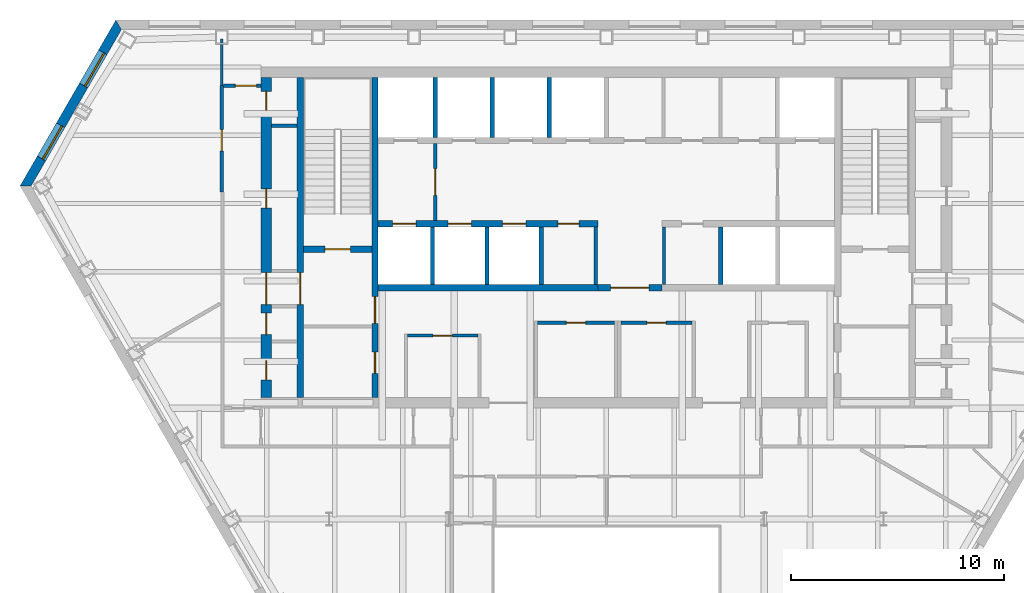
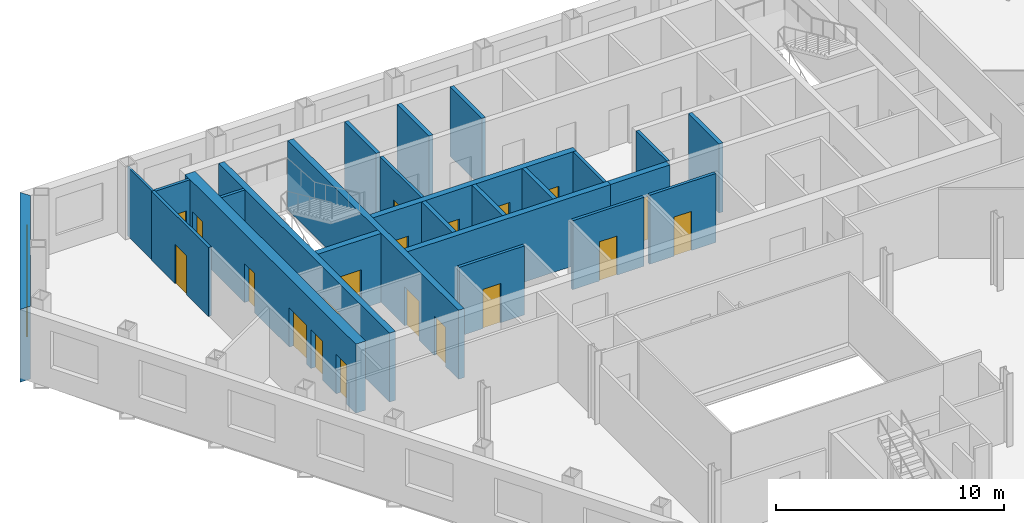
# One storey, part 6 of 11: 25 walls, 20 doors, 2 windows, 22 openings.
"""IFC4 building model written with IfcOpenShell, lengths in metres."""

from ifc_helpers import new_model, si_unit, direction, frame, frame_2d, origin, place, context, subcontext, project, spatial, polyline, rectangle, outline, extrude, material, layer, layer_set, type_object, element, fill, save


model = new_model("IFC4")

# Units and contexts
model_context = context("Model", 3, precision=1e-05, world=origin(), true_north=direction((0.0, 1.0)))
body_context = subcontext(model_context, "Body", "Model", "MODEL_VIEW")
ifc_project = project(units=[si_unit("LENGTHUNIT", "METRE"), si_unit("AREAUNIT", "SQUARE_METRE"), si_unit("VOLUMEUNIT", "CUBIC_METRE"), si_unit("PLANEANGLEUNIT", "RADIAN"), si_unit("MASSUNIT", "GRAM", prefix="KILO")], contexts=[model_context])

# Site, building, storey
site_placement = place(None, origin())
site = spatial("IfcSite", under=ifc_project, at=site_placement, CompositionType="ELEMENT")
building_placement = place(site_placement, origin())
building = spatial("IfcBuilding", under=site, at=building_placement, Name="Njiva Tower", CompositionType="ELEMENT")
storey_placement = place(building_placement, frame((0.0, 0.0, 139.8)))
storey = spatial("IfcBuildingStorey", under=building, at=storey_placement, Name="L29", CompositionType="ELEMENT", Elevation=139.8)

# Walls
ifc_material_1 = material(Name="Blockwork", Category="masonry")
ifc_layer_1 = layer(ifc_material_1, 0.15)
ifc_layer_set_1 = layer_set([ifc_layer_1], Name="Blockwork")
wall_type_1 = type_object("IfcWallType", Name="WT1 Compartment partition 150", PredefinedType="PARTITIONING", material=ifc_layer_set_1)
for number, where, z_axis, x_axis, name in (
    (1, (-0.5, 7.8, 0.0), (0.0, 0.0, 1.0), (0.0, 1.0, 0.0), "Partition CS4"),
    (2, (2.7, 7.8, 0.0), (0.0, 0.0, 1.0), (0.0, 1.0, 0.0), "Partition CS5"),
):
    element("IfcWall", number, at=place(storey_placement, frame(where, z_axis=z_axis, x_axis=x_axis)), inside=storey, type_object=wall_type_1, Name=name, PredefinedType="PARTITIONING", context=body_context, shape_type="SweptSolid", body=[
        extrude(rectangle(XDim=2.7, YDim=0.15, at=frame_2d((1.35, 0.0))), origin(), (0.0, 0.0, 1.0), 3.7),
    ])

# Wall, opening, door
wall_1_placement = place(storey_placement, frame((-9.325, 5.4, 0.0), z_axis=(0.0, 0.0, 1.0), x_axis=(1.0, 0.0, 0.0)))
wall_1 = element("IfcWall", 3, at=wall_1_placement, inside=storey, type_object=wall_type_1, Name="Security office wall north", PredefinedType="PARTITIONING", context=body_context, shape_type="SweptSolid", body=[
    extrude(rectangle(XDim=3.3, YDim=0.15, at=frame_2d((1.65, 0.0))), origin(), (0.0, 0.0, 1.0), 3.7),
])
opening_1_placement = place(wall_1_placement, frame((1.2, 0.0, 0.0)))
opening_1 = element("IfcOpeningElement", 4, at=opening_1_placement, cuts=wall_1, Name="Opening S10-D934", PredefinedType="OPENING", context=body_context, shape_type="SweptSolid", body=[
    extrude(rectangle(XDim=0.9, YDim=2.1, at=frame_2d((0.45, 1.05))), frame((0.0, 0.085, 0.0), z_axis=(0.0, -1.0, 0.0), x_axis=(1.0, 0.0, 0.0)), (0.0, 0.0, 1.0), 0.17),
])
ifc_material_2 = material(Name="Steel fire door, painted", Category="steel")
door_type_1 = type_object("IfcDoorType", Name="D6 Fire-rated door 900x2100", OperationType="SINGLE_SWING_LEFT", PredefinedType="DOOR", material=ifc_material_2)
door_1_placement = place(opening_1_placement, origin())
door_1 = element("IfcDoor", 5, at=door_1_placement, inside=storey, type_object=door_type_1, Name="Security office door", OperationType="SINGLE_SWING_RIGHT", OverallHeight=2.1, OverallWidth=0.9, PredefinedType="DOOR", context=body_context, shape_type="SweptSolid", body=[
    extrude(rectangle(XDim=0.9, YDim=2.1, at=frame_2d((0.45, 1.05))), frame((0.0, 0.025, 0.0), z_axis=(0.0, -1.0, 0.0), x_axis=(1.0, 0.0, 0.0)), (0.0, 0.0, 1.0), 0.05),
])
fill(opening_1, door_1)

wall_2_placement = place(storey_placement, frame((-3.225, 6.0, 0.0), z_axis=(0.0, 0.0, 1.0), x_axis=(1.0, 0.0, 0.0)))
wall_2 = element("IfcWall", 6, at=wall_2_placement, inside=storey, type_object=wall_type_1, Name="Concierge office wall north", PredefinedType="PARTITIONING", context=body_context, shape_type="SweptSolid", body=[
    extrude(rectangle(XDim=3.6, YDim=0.15, at=frame_2d((1.8, 0.0))), origin(), (0.0, 0.0, 1.0), 3.7),
])
opening_2_placement = place(wall_2_placement, frame((1.35, 0.0, 0.0)))
opening_2 = element("IfcOpeningElement", 7, at=opening_2_placement, cuts=wall_2, Name="Opening S10-D935", PredefinedType="OPENING", context=body_context, shape_type="SweptSolid", body=[
    extrude(rectangle(XDim=0.9, YDim=2.1, at=frame_2d((0.45, 1.05))), frame((0.0, 0.085, 0.0), z_axis=(0.0, -1.0, 0.0), x_axis=(1.0, 0.0, 0.0)), (0.0, 0.0, 1.0), 0.17),
])
door_2_placement = place(opening_2_placement, origin())
door_2 = element("IfcDoor", 8, at=door_2_placement, inside=storey, type_object=door_type_1, Name="Concierge office door", OperationType="SINGLE_SWING_LEFT", OverallHeight=2.1, OverallWidth=0.9, PredefinedType="DOOR", context=body_context, shape_type="SweptSolid", body=[
    extrude(rectangle(XDim=0.9, YDim=2.1, at=frame_2d((0.45, 1.05))), frame((0.0, 0.025, 0.0), z_axis=(0.0, -1.0, 0.0), x_axis=(1.0, 0.0, 0.0)), (0.0, 0.0, 1.0), 0.05),
])
fill(opening_2, door_2)

wall_3_placement = place(storey_placement, frame((0.675, 6.0, 0.0), z_axis=(0.0, 0.0, 1.0), x_axis=(1.0, 0.0, 0.0)))
wall_3 = element("IfcWall", 9, at=wall_3_placement, inside=storey, type_object=wall_type_1, Name="Post room wall north", PredefinedType="PARTITIONING", context=body_context, shape_type="SweptSolid", body=[
    extrude(rectangle(XDim=3.35, YDim=0.15, at=frame_2d((1.675, 0.0))), origin(), (0.0, 0.0, 1.0), 3.7),
])
opening_3_placement = place(wall_3_placement, frame((1.225, 0.0, 0.0)))
opening_3 = element("IfcOpeningElement", 10, at=opening_3_placement, cuts=wall_3, Name="Opening S10-D936", PredefinedType="OPENING", context=body_context, shape_type="SweptSolid", body=[
    extrude(rectangle(XDim=0.9, YDim=2.1, at=frame_2d((0.45, 1.05))), frame((0.0, 0.085, 0.0), z_axis=(0.0, -1.0, 0.0), x_axis=(1.0, 0.0, 0.0)), (0.0, 0.0, 1.0), 0.17),
])
door_3_placement = place(opening_3_placement, origin())
door_3 = element("IfcDoor", 11, at=door_3_placement, inside=storey, type_object=door_type_1, Name="Post room door", OperationType="SINGLE_SWING_LEFT", OverallHeight=2.1, OverallWidth=0.9, PredefinedType="DOOR", context=body_context, shape_type="SweptSolid", body=[
    extrude(rectangle(XDim=0.9, YDim=2.1, at=frame_2d((0.45, 1.05))), frame((0.0, 0.025, 0.0), z_axis=(0.0, -1.0, 0.0), x_axis=(1.0, 0.0, 0.0)), (0.0, 0.0, 1.0), 0.05),
])
fill(opening_3, door_3)

# Wall, openings, doors
ifc_material_3 = material(Name="Concrete C40/50", Category="concrete")
ifc_layer_2 = layer(ifc_material_3, 0.3)
ifc_layer_set_2 = layer_set([ifc_layer_2], Name="Concrete C40/50")
wall_type_2 = type_object("IfcWallType", Name="WT10 Stair enclosure wall 300", PredefinedType="SHEAR", material=ifc_layer_set_2)
wall_4_placement = place(storey_placement, frame((-10.85, 2.5, 0.0), z_axis=(0.0, 0.0, 1.0), x_axis=(0.0, 1.0, 0.0)))
wall_4 = element("IfcWall", 12, at=wall_4_placement, inside=storey, type_object=wall_type_2, Name="Stair wall west inner", PredefinedType="SHEAR", context=body_context, shape_type="SweptSolid", body=[
    extrude(rectangle(XDim=15.0, YDim=0.3, at=frame_2d((7.5, 0.0))), origin(), (0.0, 0.0, 1.0), 3.7),
])
opening_4_placement = place(wall_4_placement, frame((3.475, 0.0, 0.0)))
opening_4 = element("IfcOpeningElement", 13, at=opening_4_placement, cuts=wall_4, Name="Opening S10-D916", PredefinedType="OPENING", context=body_context, shape_type="SweptSolid", body=[
    extrude(rectangle(XDim=1.25, YDim=2.1, at=frame_2d((0.625, 1.05))), frame((0.0, 0.16, 0.0), z_axis=(0.0, -1.0, 0.0), x_axis=(1.0, 0.0, 0.0)), (0.0, 0.0, 1.0), 0.32),
])
opening_5_placement = place(wall_4_placement, frame((1.125, 0.0, 0.0)))
opening_5 = element("IfcOpeningElement", 14, at=opening_5_placement, cuts=wall_4, Name="Opening S10-D917", PredefinedType="OPENING", context=body_context, shape_type="SweptSolid", body=[
    extrude(rectangle(XDim=1.0, YDim=2.1, at=frame_2d((0.5, 1.05))), frame((0.0, 0.16, 0.0), z_axis=(0.0, -1.0, 0.0), x_axis=(1.0, 0.0, 0.0)), (0.0, 0.0, 1.0), 0.32),
])
ifc_material_4 = material(Name="Steel door, painted", Category="steel")
door_type_2 = type_object("IfcDoorType", Name="D5 Steel door 1000x2100", OperationType="SINGLE_SWING_LEFT", PredefinedType="DOOR", material=ifc_material_4)
door_4_placement = place(opening_5_placement, origin())
door_4 = element("IfcDoor", 15, at=door_4_placement, inside=storey, type_object=door_type_2, Name="Business centre door", OperationType="SINGLE_SWING_RIGHT", OverallHeight=2.1, OverallWidth=1.0, PredefinedType="DOOR", context=body_context, shape_type="SweptSolid", body=[
    extrude(rectangle(XDim=1.0, YDim=2.1, at=frame_2d((0.5, 1.05))), frame((0.0, 0.025, 0.0), z_axis=(0.0, -1.0, 0.0), x_axis=(1.0, 0.0, 0.0)), (0.0, 0.0, 1.0), 0.05),
])
fill(opening_5, door_4)
ifc_material_5 = material(Name="Glazed steel fire door", Category="steel")
door_type_3 = type_object("IfcDoorType", Name="D8 Vestibule corridor door 1250x2100 glazed", OperationType="SINGLE_SWING_LEFT", PredefinedType="DOOR", material=ifc_material_5)
door_5_placement = place(opening_4_placement, origin())
door_5 = element("IfcDoor", 16, at=door_5_placement, inside=storey, type_object=door_type_3, Name="Stair vestibule corridor door", OperationType="SINGLE_SWING_LEFT", OverallHeight=2.1, OverallWidth=1.25, PredefinedType="DOOR", context=body_context, shape_type="SweptSolid", body=[
    extrude(rectangle(XDim=1.25, YDim=2.1, at=frame_2d((0.625, 1.05))), frame((0.0, 0.025, 0.0), z_axis=(0.0, -1.0, 0.0), x_axis=(1.0, 0.0, 0.0)), (0.0, 0.0, 1.0), 0.05),
])
fill(opening_4, door_5)

# Wall, opening, door
wall_5_placement = place(storey_placement, frame((-14.35, 2.5, 0.0), z_axis=(0.0, 0.0, 1.0), x_axis=(0.0, 1.0, 0.0)))
wall_5 = element("IfcWall", 17, at=wall_5_placement, inside=storey, type_object=wall_type_2, Name="Stair wall west outer", PredefinedType="SHEAR", context=body_context, shape_type="SweptSolid", body=[
    extrude(rectangle(XDim=15.0, YDim=0.3, at=frame_2d((7.5, 0.0))), origin(), (0.0, 0.0, 1.0), 3.7),
])
opening_6_placement = place(wall_5_placement, frame((4.35, 0.0, 0.0)))
opening_6 = element("IfcOpeningElement", 18, at=opening_6_placement, cuts=wall_5, Name="Opening S10-D922", PredefinedType="OPENING", context=body_context, shape_type="SweptSolid", body=[
    extrude(rectangle(XDim=1.5, YDim=2.1, at=frame_2d((0.75, 1.05))), frame((0.0, 0.16, 0.0), z_axis=(0.0, -1.0, 0.0), x_axis=(1.0, 0.0, 0.0)), (0.0, 0.0, 1.0), 0.32),
])
door_type_4 = type_object("IfcDoorType", Name="D10 Exit door double 1500x2100 glazed", OperationType="DOUBLE_DOOR_SINGLE_SWING", PredefinedType="DOOR", material=ifc_material_5)
door_6_placement = place(opening_6_placement, origin())
door_6 = element("IfcDoor", 19, at=door_6_placement, inside=storey, type_object=door_type_4, Name="Stair A passage door", OperationType="DOUBLE_DOOR_SINGLE_SWING", OverallHeight=2.1, OverallWidth=1.5, PredefinedType="DOOR", context=body_context, shape_type="SweptSolid", body=[
    extrude(rectangle(XDim=1.5, YDim=2.1, at=frame_2d((0.75, 1.05))), frame((0.0, 0.025, 0.0), z_axis=(0.0, -1.0, 0.0), x_axis=(1.0, 0.0, 0.0)), (0.0, 0.0, 1.0), 0.05),
])
fill(opening_6, door_6)

wall_6_placement = place(storey_placement, frame((-14.2, 9.45, 0.0), z_axis=(0.0, 0.0, 1.0), x_axis=(1.0, 0.0, 0.0)))
wall_6 = element("IfcWall", 20, at=wall_6_placement, inside=storey, type_object=wall_type_2, Name="Stair A south wall", PredefinedType="SHEAR", context=body_context, shape_type="SweptSolid", body=[
    extrude(rectangle(XDim=3.2, YDim=0.3, at=frame_2d((1.6, 0.0))), origin(), (0.0, 0.0, 1.0), 3.7),
])
opening_7_placement = place(wall_6_placement, frame((1.0, 0.0, 0.0)))
opening_7 = element("IfcOpeningElement", 21, at=opening_7_placement, cuts=wall_6, Name="Opening S10-D915", PredefinedType="OPENING", context=body_context, shape_type="SweptSolid", body=[
    extrude(rectangle(XDim=1.2, YDim=2.1, at=frame_2d((0.6, 1.05))), frame((0.0, 0.16, 0.0), z_axis=(0.0, -1.0, 0.0), x_axis=(1.0, 0.0, 0.0)), (0.0, 0.0, 1.0), 0.32),
])
door_type_5 = type_object("IfcDoorType", Name="D7 Stair vestibule door 1200x2100 glazed", OperationType="SINGLE_SWING_LEFT", PredefinedType="DOOR", material=ifc_material_5)
door_7_placement = place(opening_7_placement, origin())
door_7 = element("IfcDoor", 22, at=door_7_placement, inside=storey, type_object=door_type_5, Name="Stair A door", OperationType="SINGLE_SWING_LEFT", OverallHeight=2.1, OverallWidth=1.2, PredefinedType="DOOR", context=body_context, shape_type="SweptSolid", body=[
    extrude(rectangle(XDim=1.2, YDim=2.1, at=frame_2d((0.6, 1.05))), frame((0.0, 0.025, 0.0), z_axis=(0.0, -1.0, 0.0), x_axis=(1.0, 0.0, 0.0)), (0.0, 0.0, 1.0), 0.05),
])
fill(opening_7, door_7)

# Wall, openings, doors
ifc_material_6 = material(Name="Concrete C60/75", Category="concrete")
ifc_layer_3 = layer(ifc_material_6, 0.5)
ifc_layer_set_3 = layer_set([ifc_layer_3], Name="Concrete C60/75")
wall_type_3 = type_object("IfcWallType", Name="WT13 Core wall 500", PredefinedType="SHEAR", material=ifc_layer_set_3)
wall_7_placement = place(storey_placement, frame((-15.95, 2.5, 0.0), z_axis=(0.0, 0.0, 1.0), x_axis=(0.0, 1.0, 0.0)))
wall_7 = element("IfcWall", 23, at=wall_7_placement, inside=storey, type_object=wall_type_3, Name="Core wall west", PredefinedType="SHEAR", context=body_context, shape_type="SweptSolid", body=[
    extrude(rectangle(XDim=15.0, YDim=0.5, at=frame_2d((7.5, 0.0))), origin(), (0.0, 0.0, 1.0), 3.7),
])
opening_8_placement = place(wall_7_placement, frame((4.35, 0.0, 0.0)))
opening_8 = element("IfcOpeningElement", 24, at=opening_8_placement, cuts=wall_7, Name="Opening S10-D923", PredefinedType="OPENING", context=body_context, shape_type="SweptSolid", body=[
    extrude(rectangle(XDim=1.5, YDim=2.1, at=frame_2d((0.75, 1.05))), frame((0.0, 0.26, 0.0), z_axis=(0.0, -1.0, 0.0), x_axis=(1.0, 0.0, 0.0)), (0.0, 0.0, 1.0), 0.52),
])
opening_9_placement = place(wall_7_placement, frame((0.825, 0.0, 0.0)))
opening_9 = element("IfcOpeningElement", 25, at=opening_9_placement, cuts=wall_7, Name="Opening S10-D924", PredefinedType="OPENING", context=body_context, shape_type="SweptSolid", body=[
    extrude(rectangle(XDim=0.9, YDim=2.1, at=frame_2d((0.45, 1.05))), frame((0.0, 0.26, 0.0), z_axis=(0.0, -1.0, 0.0), x_axis=(1.0, 0.0, 0.0)), (0.0, 0.0, 1.0), 0.52),
])
opening_10_placement = place(wall_7_placement, frame((2.95, 0.0, 0.0)))
opening_10 = element("IfcOpeningElement", 26, at=opening_10_placement, cuts=wall_7, Name="Opening S10-D925", PredefinedType="OPENING", context=body_context, shape_type="SweptSolid", body=[
    extrude(rectangle(XDim=1.0, YDim=2.1, at=frame_2d((0.5, 1.05))), frame((0.0, 0.26, 0.0), z_axis=(0.0, -1.0, 0.0), x_axis=(1.0, 0.0, 0.0)), (0.0, 0.0, 1.0), 0.52),
])
opening_11_placement = place(wall_7_placement, frame((8.8823, 0.0, 0.0)))
opening_11 = element("IfcOpeningElement", 27, at=opening_11_placement, cuts=wall_7, Name="Opening S10-D926", PredefinedType="OPENING", context=body_context, shape_type="SweptSolid", body=[
    extrude(rectangle(XDim=0.9, YDim=2.1, at=frame_2d((0.45, 1.05))), frame((0.0, 0.26, 0.0), z_axis=(0.0, -1.0, 0.0), x_axis=(1.0, 0.0, 0.0)), (0.0, 0.0, 1.0), 0.52),
])
opening_12_placement = place(wall_7_placement, frame((13.4573, 0.0, 0.0)))
opening_12 = element("IfcOpeningElement", 28, at=opening_12_placement, cuts=wall_7, Name="Opening S10-D927", PredefinedType="OPENING", context=body_context, shape_type="SweptSolid", body=[
    extrude(rectangle(XDim=0.9, YDim=2.1, at=frame_2d((0.45, 1.05))), frame((0.0, 0.26, 0.0), z_axis=(0.0, -1.0, 0.0), x_axis=(1.0, 0.0, 0.0)), (0.0, 0.0, 1.0), 0.52),
])
door_8_placement = place(opening_8_placement, origin())
door_8 = element("IfcDoor", 29, at=door_8_placement, inside=storey, type_object=door_type_4, Name="Stair A corridor door", OperationType="DOUBLE_DOOR_SINGLE_SWING", OverallHeight=2.1, OverallWidth=1.5, PredefinedType="DOOR", context=body_context, shape_type="SweptSolid", body=[
    extrude(rectangle(XDim=1.5, YDim=2.1, at=frame_2d((0.75, 1.05))), frame((0.0, 0.025, 0.0), z_axis=(0.0, -1.0, 0.0), x_axis=(1.0, 0.0, 0.0)), (0.0, 0.0, 1.0), 0.05),
])
fill(opening_8, door_8)
door_type_6 = type_object("IfcDoorType", Name="D4 Riser door 900x2100", OperationType="SINGLE_SWING_LEFT", PredefinedType="DOOR", material=ifc_material_4)
door_9_placement = place(opening_12_placement, origin())
door_9 = element("IfcDoor", 30, at=door_9_placement, inside=storey, type_object=door_type_6, Name="Cable riser door", OperationType="SINGLE_SWING_LEFT", OverallHeight=2.1, OverallWidth=0.9, PredefinedType="DOOR", context=body_context, shape_type="SweptSolid", body=[
    extrude(rectangle(XDim=0.9, YDim=2.1, at=frame_2d((0.45, 1.05))), frame((0.0, 0.025, 0.0), z_axis=(0.0, -1.0, 0.0), x_axis=(1.0, 0.0, 0.0)), (0.0, 0.0, 1.0), 0.05),
])
fill(opening_12, door_9)
door_10_placement = place(opening_10_placement, origin())
door_10 = element("IfcDoor", 31, at=door_10_placement, inside=storey, type_object=door_type_2, Name="Electrical room door", OperationType="SINGLE_SWING_RIGHT", OverallHeight=2.1, OverallWidth=1.0, PredefinedType="DOOR", context=body_context, shape_type="SweptSolid", body=[
    extrude(rectangle(XDim=1.0, YDim=2.1, at=frame_2d((0.5, 1.05))), frame((0.0, 0.025, 0.0), z_axis=(0.0, -1.0, 0.0), x_axis=(1.0, 0.0, 0.0)), (0.0, 0.0, 1.0), 0.05),
])
fill(opening_10, door_10)
door_11_placement = place(opening_9_placement, origin())
door_11 = element("IfcDoor", 32, at=door_11_placement, inside=storey, type_object=door_type_1, Name="Cable store door", OperationType="SINGLE_SWING_RIGHT", OverallHeight=2.1, OverallWidth=0.9, PredefinedType="DOOR", context=body_context, shape_type="SweptSolid", body=[
    extrude(rectangle(XDim=0.9, YDim=2.1, at=frame_2d((0.45, 1.05))), frame((0.0, 0.025, 0.0), z_axis=(0.0, -1.0, 0.0), x_axis=(1.0, 0.0, 0.0)), (0.0, 0.0, 1.0), 0.05),
])
fill(opening_9, door_11)
door_12_placement = place(opening_11_placement, origin())
door_12 = element("IfcDoor", 33, at=door_12_placement, inside=storey, type_object=door_type_1, Name="Cable store door", OperationType="SINGLE_SWING_LEFT", OverallHeight=2.1, OverallWidth=0.9, PredefinedType="DOOR", context=body_context, shape_type="SweptSolid", body=[
    extrude(rectangle(XDim=0.9, YDim=2.1, at=frame_2d((0.45, 1.05))), frame((0.0, 0.025, 0.0), z_axis=(0.0, -1.0, 0.0), x_axis=(1.0, 0.0, 0.0)), (0.0, 0.0, 1.0), 0.05),
])
fill(opening_11, door_12)

# Wall, opening, door
ifc_layer_4 = layer(ifc_material_1, 0.15)
ifc_layer_set_4 = layer_set([ifc_layer_4], Name="Blockwork")
wall_type_4 = type_object("IfcWallType", Name="WT2 Lobby partition 150", PredefinedType="PARTITIONING", material=ifc_layer_set_4)
wall_8_placement = place(storey_placement, frame((-8.025, 10.8, 0.0), z_axis=(0.0, 0.0, 1.0), x_axis=(0.0, 1.0, 0.0)))
wall_8 = element("IfcWall", 34, at=wall_8_placement, inside=storey, type_object=wall_type_4, Name="Firefighting lobby wall A", PredefinedType="PARTITIONING", context=body_context, shape_type="SweptSolid", body=[
    extrude(rectangle(XDim=3.6, YDim=0.15, at=frame_2d((1.8, 0.0))), origin(), (0.0, 0.0, 1.0), 3.7),
])
opening_13_placement = place(wall_8_placement, frame((1.175, 0.0, 0.0)))
opening_13 = element("IfcOpeningElement", 35, at=opening_13_placement, cuts=wall_8, Name="Opening S10-D914", PredefinedType="OPENING", context=body_context, shape_type="SweptSolid", body=[
    extrude(rectangle(XDim=1.25, YDim=2.1, at=frame_2d((0.625, 1.05))), frame((0.0, 0.085, 0.0), z_axis=(0.0, -1.0, 0.0), x_axis=(1.0, 0.0, 0.0)), (0.0, 0.0, 1.0), 0.17),
])
door_13_placement = place(opening_13_placement, origin())
door_13 = element("IfcDoor", 36, at=door_13_placement, inside=storey, type_object=door_type_3, Name="Stair vestibule corridor door", OperationType="SINGLE_SWING_RIGHT", OverallHeight=2.1, OverallWidth=1.25, PredefinedType="DOOR", context=body_context, shape_type="SweptSolid", body=[
    extrude(rectangle(XDim=1.25, YDim=2.1, at=frame_2d((0.625, 1.05))), frame((0.0, 0.025, 0.0), z_axis=(0.0, -1.0, 0.0), x_axis=(1.0, 0.0, 0.0)), (0.0, 0.0, 1.0), 0.05),
])
fill(opening_13, door_13)

# Wall
ifc_material_7 = material(Name="Gypsum board on steel studs", Category="gypsum")
ifc_layer_5 = layer(ifc_material_7, 0.1)
ifc_layer_set_5 = layer_set([ifc_layer_5], Name="Gypsum board on steel studs")
wall_type_5 = type_object("IfcWallType", Name="WT20 Gypsum partition 100", PredefinedType="PARTITIONING", material=ifc_layer_set_5)
wall_9_placement = place(storey_placement, frame((-18.034, 17.129, 0.0), z_axis=(0.0, 0.0, 1.0), x_axis=(0.0, 1.0, 0.0)))
element("IfcWall", 37, at=wall_9_placement, inside=storey, type_object=wall_type_5, Name="Partition S10-P003", PredefinedType="PARTITIONING", context=body_context, shape_type="SweptSolid", body=[
    extrude(rectangle(XDim=2.171, YDim=0.1, at=frame_2d((1.0855, 0.0))), origin(), (0.0, 0.0, 1.0), 3.7),
])

# Wall, opening, door
ifc_layer_6 = layer(ifc_material_7, 0.15)
ifc_layer_set_6 = layer_set([ifc_layer_6], Name="Gypsum board on steel studs")
wall_type_6 = type_object("IfcWallType", Name="WT21 Compartment wall 150", PredefinedType="PARTITIONING", material=ifc_layer_set_6)
wall_10_placement = place(storey_placement, frame((-18.034, 12.146, 0.0), z_axis=(0.0, 0.0, 1.0), x_axis=(0.0, 1.0, 0.0)))
wall_10 = element("IfcWall", 38, at=wall_10_placement, inside=storey, type_object=wall_type_6, Name="Partition S10-P002", PredefinedType="PARTITIONING", context=body_context, shape_type="SweptSolid", body=[
    extrude(rectangle(XDim=4.983, YDim=0.15, at=frame_2d((2.4915, 0.0))), origin(), (0.0, 0.0, 1.0), 3.7),
])
opening_14_placement = place(wall_10_placement, frame((1.916, 0.0, 0.0)))
opening_14 = element("IfcOpeningElement", 39, at=opening_14_placement, cuts=wall_10, Name="Opening S10-D001", PredefinedType="OPENING", context=body_context, shape_type="SweptSolid", body=[
    extrude(rectangle(XDim=1.0, YDim=2.1, at=frame_2d((0.5, 1.05))), frame((0.0, 0.085, 0.0), z_axis=(0.0, -1.0, 0.0), x_axis=(1.0, 0.0, 0.0)), (0.0, 0.0, 1.0), 0.17),
])
ifc_material_8 = material(Name="Steel fire door set", Category="steel")
door_type_7 = type_object("IfcDoorType", Name="D37 Fire door 1000x2100", OperationType="SINGLE_SWING_LEFT", PredefinedType="DOOR", material=ifc_material_8)
door_14_placement = place(opening_14_placement, origin())
door_14 = element("IfcDoor", 40, at=door_14_placement, inside=storey, type_object=door_type_7, Name="Door S10-D001", OperationType="SINGLE_SWING_RIGHT", OverallHeight=2.1, OverallWidth=1.0, PredefinedType="DOOR", context=body_context, shape_type="SweptSolid", body=[
    extrude(rectangle(XDim=1.0, YDim=2.1, at=frame_2d((0.5, 1.05))), frame((0.0, 0.025, 0.0), z_axis=(0.0, -1.0, 0.0), x_axis=(1.0, 0.0, 0.0)), (0.0, 0.0, 1.0), 0.05),
])
fill(opening_14, door_14)

wall_11_placement = place(storey_placement, frame((-17.959, 17.117, 0.0), z_axis=(0.0, 0.0, 1.0), x_axis=(1.0, 0.0, 0.0)))
wall_11 = element("IfcWall", 41, at=wall_11_placement, inside=storey, type_object=wall_type_6, Name="Partition S10-P005", PredefinedType="PARTITIONING", context=body_context, shape_type="SweptSolid", body=[
    extrude(rectangle(XDim=1.759, YDim=0.15, at=frame_2d((0.8795, 0.0))), origin(), (0.0, 0.0, 1.0), 3.7),
])
opening_15_placement = place(wall_11_placement, frame((0.559, 0.0, 0.0)))
opening_15 = element("IfcOpeningElement", 42, at=opening_15_placement, cuts=wall_11, Name="Opening S10-D002", PredefinedType="OPENING", context=body_context, shape_type="SweptSolid", body=[
    extrude(rectangle(XDim=1.0, YDim=2.1, at=frame_2d((0.5, 1.05))), frame((0.0, 0.085, 0.0), z_axis=(0.0, -1.0, 0.0), x_axis=(1.0, 0.0, 0.0)), (0.0, 0.0, 1.0), 0.17),
])
door_15_placement = place(opening_15_placement, origin())
door_15 = element("IfcDoor", 43, at=door_15_placement, inside=storey, type_object=door_type_7, Name="Door S10-D002", OperationType="SINGLE_SWING_LEFT", OverallHeight=2.1, OverallWidth=1.0, PredefinedType="DOOR", context=body_context, shape_type="SweptSolid", body=[
    extrude(rectangle(XDim=1.0, YDim=2.1, at=frame_2d((0.5, 1.05))), frame((0.0, 0.025, 0.0), z_axis=(0.0, -1.0, 0.0), x_axis=(1.0, 0.0, 0.0)), (0.0, 0.0, 1.0), 0.05),
])
fill(opening_15, door_15)

# Wall
ifc_layer_7 = layer(ifc_material_1, 0.15)
ifc_layer_set_7 = layer_set([ifc_layer_7], Name="Blockwork")
wall_type_7 = type_object("IfcWallType", Name="WT3 Riser partition 150", PredefinedType="PARTITIONING", material=ifc_layer_set_7)
wall_12_placement = place(storey_placement, frame((-15.7, 15.2396, 0.0), z_axis=(0.0, 0.0, 1.0), x_axis=(1.0, 0.0, 0.0)))
element("IfcWall", 44, at=wall_12_placement, inside=storey, type_object=wall_type_7, Name="Partition strip W10", PredefinedType="PARTITIONING", context=body_context, shape_type="SweptSolid", body=[
    extrude(rectangle(XDim=1.2, YDim=0.15, at=frame_2d((0.6, 0.0))), origin(), (0.0, 0.0, 1.0), 3.7),
])

# Wall, opening, door
ifc_layer_8 = layer(ifc_material_1, 0.3)
ifc_layer_set_8 = layer_set([ifc_layer_8], Name="Blockwork")
wall_type_8 = type_object("IfcWallType", Name="WT5 Lobby partition 300", PredefinedType="PARTITIONING", material=ifc_layer_set_8)
wall_13_placement = place(storey_placement, frame((-0.4, 7.65, 0.0), z_axis=(0.0, 0.0, 1.0), x_axis=(1.0, 0.0, 0.0)))
wall_13 = element("IfcWall", 45, at=wall_13_placement, inside=storey, type_object=wall_type_8, Name="Lift lobby screen wall", PredefinedType="PARTITIONING", context=body_context, shape_type="SweptSolid", body=[
    extrude(rectangle(XDim=3.0, YDim=0.3, at=frame_2d((1.5, 0.0))), origin(), (0.0, 0.0, 1.0), 3.7),
])
opening_16_placement = place(wall_13_placement, frame((0.6, 0.0, 0.0)))
opening_16 = element("IfcOpeningElement", 46, at=opening_16_placement, cuts=wall_13, Name="Opening S10-D938", PredefinedType="OPENING", context=body_context, shape_type="SweptSolid", body=[
    extrude(rectangle(XDim=1.8, YDim=2.4, at=frame_2d((0.9, 1.2))), frame((0.0, 0.16, 0.0), z_axis=(0.0, -1.0, 0.0), x_axis=(1.0, 0.0, 0.0)), (0.0, 0.0, 1.0), 0.32),
])
ifc_material_9 = material(Name="Steel and glass door", Category="steel")
door_type_8 = type_object("IfcDoorType", Name="D3 Core entrance door 1800x2400", OperationType="DOUBLE_DOOR_SINGLE_SWING", PredefinedType="DOOR", material=ifc_material_9)
door_16_placement = place(opening_16_placement, origin())
door_16 = element("IfcDoor", 47, at=door_16_placement, inside=storey, type_object=door_type_8, Name="Core entrance door", OperationType="DOUBLE_DOOR_SINGLE_SWING", OverallHeight=2.4, OverallWidth=1.8, PredefinedType="DOOR", context=body_context, shape_type="SweptSolid", body=[
    extrude(rectangle(XDim=1.8, YDim=2.4, at=frame_2d((0.9, 1.2))), frame((0.0, 0.025, 0.0), z_axis=(0.0, -1.0, 0.0), x_axis=(1.0, 0.0, 0.0)), (0.0, 0.0, 1.0), 0.05),
])
fill(opening_16, door_16)

# Walls
ifc_layer_9 = layer(ifc_material_3, 0.2)
ifc_layer_set_9 = layer_set([ifc_layer_9], Name="Concrete C40/50")
wall_type_9 = type_object("IfcWallType", Name="WT6 Lift shaft wall 200", PredefinedType="SHEAR", material=ifc_layer_set_9)
for number, where, z_axis, x_axis, name in (
    (48, (-8.025, 14.7, 0.0), (0.0, 0.0, 1.0), (0.0, 1.0, 0.0), "Shaft wall CN1"),
    (49, (-5.35, 14.7, 0.0), (0.0, 0.0, 1.0), (0.0, 1.0, 0.0), "Shaft wall CN2"),
    (50, (-2.675, 14.7, 0.0), (0.0, 0.0, 1.0), (0.0, 1.0, 0.0), "Shaft wall CN3"),
):
    element("IfcWall", number, at=place(storey_placement, frame(where, z_axis=z_axis, x_axis=x_axis)), inside=storey, type_object=wall_type_9, Name=name, PredefinedType="SHEAR", context=body_context, shape_type="SweptSolid", body=[
        extrude(rectangle(XDim=2.8, YDim=0.2, at=frame_2d((1.4, 0.0))), origin(), (0.0, 0.0, 1.0), 3.7),
    ])
for number, where, z_axis, x_axis, name in (
    (51, (-8.15, 7.8, 0.0), (0.0, 0.0, 1.0), (0.0, 1.0, 0.0), "Shaft wall CS1"),
    (52, (-5.6, 7.8, 0.0), (0.0, 0.0, 1.0), (0.0, 1.0, 0.0), "Shaft wall CS2"),
    (53, (-3.05, 7.8, 0.0), (0.0, 0.0, 1.0), (0.0, 1.0, 0.0), "Shaft wall CS3"),
    (54, (5.3667, 7.8, 0.0), (0.0, 0.0, 1.0), (0.0, 1.0, 0.0), "Shaft wall CS6"),
):
    element("IfcWall", number, at=place(storey_placement, frame(where, z_axis=z_axis, x_axis=x_axis)), inside=storey, type_object=wall_type_9, Name=name, PredefinedType="SHEAR", context=body_context, shape_type="SweptSolid", body=[
        extrude(rectangle(XDim=2.7, YDim=0.2, at=frame_2d((1.35, 0.0))), origin(), (0.0, 0.0, 1.0), 3.7),
    ])

# Wall, openings, doors
ifc_layer_10 = layer(ifc_material_3, 0.3)
ifc_layer_set_10 = layer_set([ifc_layer_10], Name="Concrete C40/50")
wall_type_10 = type_object("IfcWallType", Name="WT7 Lift shaft wall 300", PredefinedType="SHEAR", material=ifc_layer_set_10)
wall_14_placement = place(storey_placement, frame((-10.7, 10.65, 0.0), z_axis=(0.0, 0.0, 1.0), x_axis=(1.0, 0.0, 0.0)))
wall_14 = element("IfcWall", 55, at=wall_14_placement, inside=storey, type_object=wall_type_10, Name="Shaft wall south row lobby side W", PredefinedType="SHEAR", context=body_context, shape_type="SweptSolid", body=[
    extrude(rectangle(XDim=10.3, YDim=0.3, at=frame_2d((5.15, 0.0))), origin(), (0.0, 0.0, 1.0), 3.7),
])
opening_17_placement = place(wall_14_placement, frame((0.675, 0.0, 0.0)))
opening_17 = element("IfcOpeningElement", 56, at=opening_17_placement, cuts=wall_14, Name="Opening S10-D906", PredefinedType="OPENING", context=body_context, shape_type="SweptSolid", body=[
    extrude(rectangle(XDim=1.1, YDim=2.1, at=frame_2d((0.55, 1.05))), frame((0.0, 0.16, 0.0), z_axis=(0.0, -1.0, 0.0), x_axis=(1.0, 0.0, 0.0)), (0.0, 0.0, 1.0), 0.32),
])
opening_18_placement = place(wall_14_placement, frame((3.275, 0.0, 0.0)))
opening_18 = element("IfcOpeningElement", 57, at=opening_18_placement, cuts=wall_14, Name="Opening S10-D907", PredefinedType="OPENING", context=body_context, shape_type="SweptSolid", body=[
    extrude(rectangle(XDim=1.1, YDim=2.1, at=frame_2d((0.55, 1.05))), frame((0.0, 0.16, 0.0), z_axis=(0.0, -1.0, 0.0), x_axis=(1.0, 0.0, 0.0)), (0.0, 0.0, 1.0), 0.32),
])
opening_19_placement = place(wall_14_placement, frame((5.825, 0.0, 0.0)))
opening_19 = element("IfcOpeningElement", 58, at=opening_19_placement, cuts=wall_14, Name="Opening S10-D908", PredefinedType="OPENING", context=body_context, shape_type="SweptSolid", body=[
    extrude(rectangle(XDim=1.1, YDim=2.1, at=frame_2d((0.55, 1.05))), frame((0.0, 0.16, 0.0), z_axis=(0.0, -1.0, 0.0), x_axis=(1.0, 0.0, 0.0)), (0.0, 0.0, 1.0), 0.32),
])
opening_20_placement = place(wall_14_placement, frame((8.425, 0.0, 0.0)))
opening_20 = element("IfcOpeningElement", 59, at=opening_20_placement, cuts=wall_14, Name="Opening S10-D912", PredefinedType="OPENING", context=body_context, shape_type="SweptSolid", body=[
    extrude(rectangle(XDim=1.0, YDim=2.1, at=frame_2d((0.5, 1.05))), frame((0.0, 0.16, 0.0), z_axis=(0.0, -1.0, 0.0), x_axis=(1.0, 0.0, 0.0)), (0.0, 0.0, 1.0), 0.32),
])
door_17_placement = place(opening_20_placement, origin())
door_17 = element("IfcDoor", 60, at=door_17_placement, inside=storey, type_object=door_type_2, Name="Breakout room door", OperationType="SINGLE_SWING_RIGHT", OverallHeight=2.1, OverallWidth=1.0, PredefinedType="DOOR", context=body_context, shape_type="SweptSolid", body=[
    extrude(rectangle(XDim=1.0, YDim=2.1, at=frame_2d((0.5, 1.05))), frame((0.0, 0.025, 0.0), z_axis=(0.0, -1.0, 0.0), x_axis=(1.0, 0.0, 0.0)), (0.0, 0.0, 1.0), 0.05),
])
fill(opening_20, door_17)
ifc_material_10 = material(Name="Stainless steel sliding door", Category="steel")
door_type_9 = type_object("IfcDoorType", Name="LD Lift landing door 1100x2100", OperationType="SLIDING_TO_LEFT", PredefinedType="DOOR", material=ifc_material_10)
door_18_placement = place(opening_17_placement, origin())
door_18 = element("IfcDoor", 61, at=door_18_placement, inside=storey, type_object=door_type_9, Name="Lift landing door MB1", OperationType="SLIDING_TO_LEFT", OverallHeight=2.1, OverallWidth=1.1, PredefinedType="DOOR", context=body_context, shape_type="SweptSolid", body=[
    extrude(rectangle(XDim=1.1, YDim=2.1, at=frame_2d((0.55, 1.05))), frame((0.0, 0.025, 0.0), z_axis=(0.0, -1.0, 0.0), x_axis=(1.0, 0.0, 0.0)), (0.0, 0.0, 1.0), 0.05),
])
fill(opening_17, door_18)
door_19_placement = place(opening_18_placement, origin())
door_19 = element("IfcDoor", 62, at=door_19_placement, inside=storey, type_object=door_type_9, Name="Lift landing door MB2", OperationType="SLIDING_TO_LEFT", OverallHeight=2.1, OverallWidth=1.1, PredefinedType="DOOR", context=body_context, shape_type="SweptSolid", body=[
    extrude(rectangle(XDim=1.1, YDim=2.1, at=frame_2d((0.55, 1.05))), frame((0.0, 0.025, 0.0), z_axis=(0.0, -1.0, 0.0), x_axis=(1.0, 0.0, 0.0)), (0.0, 0.0, 1.0), 0.05),
])
fill(opening_18, door_19)
door_20_placement = place(opening_19_placement, origin())
door_20 = element("IfcDoor", 63, at=door_20_placement, inside=storey, type_object=door_type_9, Name="Lift landing door MB3", OperationType="SLIDING_TO_LEFT", OverallHeight=2.1, OverallWidth=1.1, PredefinedType="DOOR", context=body_context, shape_type="SweptSolid", body=[
    extrude(rectangle(XDim=1.1, YDim=2.1, at=frame_2d((0.55, 1.05))), frame((0.0, 0.025, 0.0), z_axis=(0.0, -1.0, 0.0), x_axis=(1.0, 0.0, 0.0)), (0.0, 0.0, 1.0), 0.05),
])
fill(opening_19, door_20)

# Wall
wall_15_placement = place(storey_placement, frame((-10.7, 7.65, 0.0), z_axis=(0.0, 0.0, 1.0), x_axis=(1.0, 0.0, 0.0)))
element("IfcWall", 64, at=wall_15_placement, inside=storey, type_object=wall_type_10, Name="Shaft wall south row back W", PredefinedType="SHEAR", context=body_context, shape_type="SweptSolid", body=[
    extrude(rectangle(XDim=10.3, YDim=0.3, at=frame_2d((5.15, 0.0))), origin(), (0.0, 0.0, 1.0), 3.7),
])

# Wall, openings, windows
ifc_material_11 = material(Name="Brick masonry, buff", Category="masonry")
ifc_layer_11 = layer(ifc_material_11, 0.45)
ifc_layer_set_11 = layer_set([ifc_layer_11], Name="Brick masonry, buff")
wall_type_11 = type_object("IfcWallType", Name="WT94 Brick pier and spandrel wall 450, buff", PredefinedType="SOLIDWALL", material=ifc_layer_set_11)
wall_16_placement = place(storey_placement, frame((-22.8713, 19.9728, -0.4), z_axis=(0.0, 0.0, 1.0), x_axis=(-0.500000731243, -0.866024981601, 0.0)))
wall_16 = element("IfcWall", 65, at=wall_16_placement, inside=storey, type_object=wall_type_11, Name="Facade wall NW", PredefinedType="SOLIDWALL", context=body_context, shape_type="SweptSolid", body=[
    extrude(outline(polyline([(-0.1299, -0.225), (8.8501, -0.225), (8.5903, 0.225), (0.1299, 0.225), (-0.1299, -0.225)])), origin(), (0.0, 0.0, 1.0), 3.9),
])
opening_21_placement = place(wall_16_placement, frame((1.4844, 0.0, 1.3)))
opening_21 = element("IfcOpeningElement", 66, at=opening_21_placement, cuts=wall_16, Name="Opening S10-W10", PredefinedType="OPENING", context=body_context, shape_type="SweptSolid", body=[
    extrude(rectangle(XDim=1.8, YDim=2.0, at=frame_2d((0.9, 1.0))), frame((0.0, 0.235, 0.0), z_axis=(0.0, -1.0, 0.0), x_axis=(1.0, 0.0, 0.0)), (0.0, 0.0, 1.0), 0.47),
])
opening_22_placement = place(wall_16_placement, frame((5.4357, 0.0, 1.3)))
opening_22 = element("IfcOpeningElement", 67, at=opening_22_placement, cuts=wall_16, Name="Opening S10-W11", PredefinedType="OPENING", context=body_context, shape_type="SweptSolid", body=[
    extrude(rectangle(XDim=1.8, YDim=2.0, at=frame_2d((0.9, 1.0))), frame((0.0, 0.235, 0.0), z_axis=(0.0, -1.0, 0.0), x_axis=(1.0, 0.0, 0.0)), (0.0, 0.0, 1.0), 0.47),
])
ifc_material_12 = material(Name="Clear glazing in aluminium frame", Category="aluminium")
window_type = type_object("IfcWindowType", Name="W94 Deep-set window 1800x2000", PartitioningType="SINGLE_PANEL", PredefinedType="WINDOW", material=ifc_material_12)
window_1_placement = place(opening_21_placement, origin())
window_1 = element("IfcWindow", 68, at=window_1_placement, inside=storey, type_object=window_type, Name="Window", OverallHeight=2.0, OverallWidth=1.8, PartitioningType="SINGLE_PANEL", PredefinedType="WINDOW", context=body_context, shape_type="SweptSolid", body=[
    extrude(rectangle(XDim=1.8, YDim=2.0, at=frame_2d((0.9, 1.0))), frame((0.0, 0.105, 0.0), z_axis=(0.0, -1.0, 0.0), x_axis=(1.0, 0.0, 0.0)), (0.0, 0.0, 1.0), 0.06),
])
fill(opening_21, window_1)
window_2_placement = place(opening_22_placement, origin())
window_2 = element("IfcWindow", 69, at=window_2_placement, inside=storey, type_object=window_type, Name="Window", OverallHeight=2.0, OverallWidth=1.8, PartitioningType="SINGLE_PANEL", PredefinedType="WINDOW", context=body_context, shape_type="SweptSolid", body=[
    extrude(rectangle(XDim=1.8, YDim=2.0, at=frame_2d((0.9, 1.0))), frame((0.0, 0.105, 0.0), z_axis=(0.0, -1.0, 0.0), x_axis=(1.0, 0.0, 0.0)), (0.0, 0.0, 1.0), 0.06),
])
fill(opening_22, window_2)

save(model, "model.ifc")
